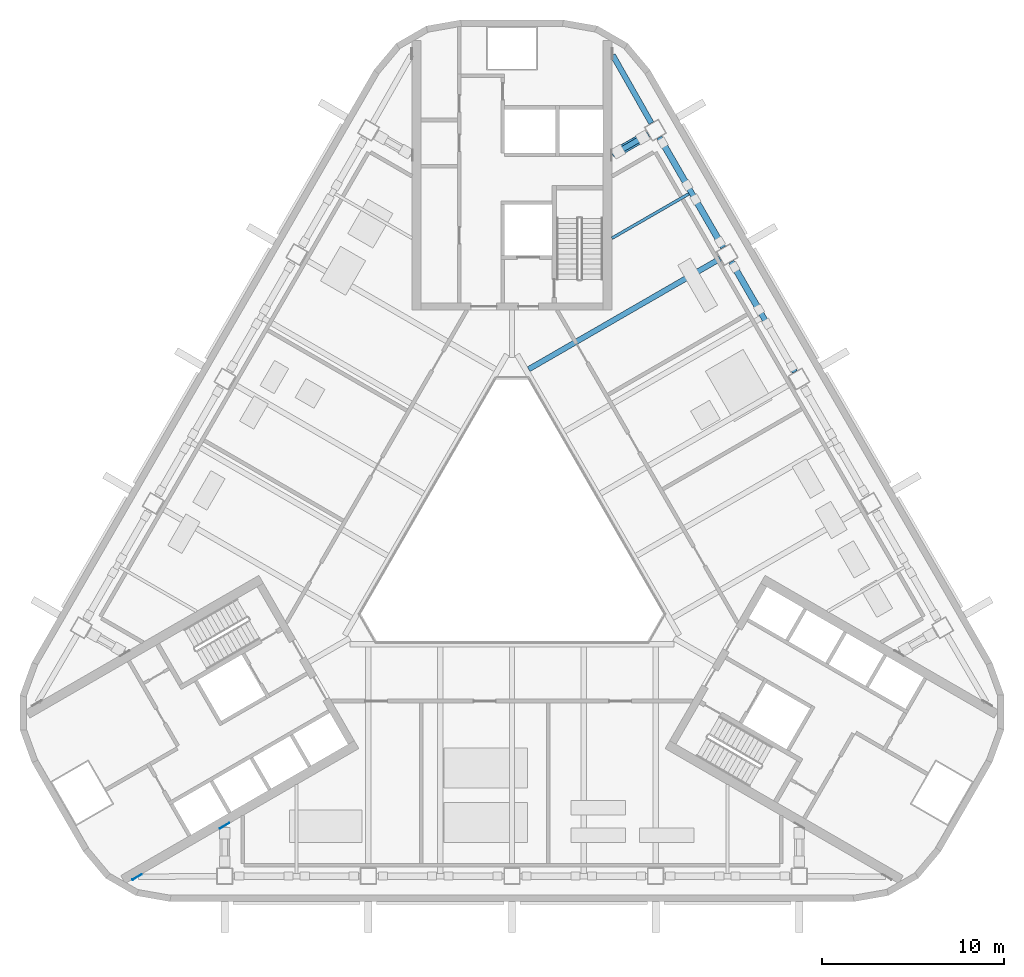
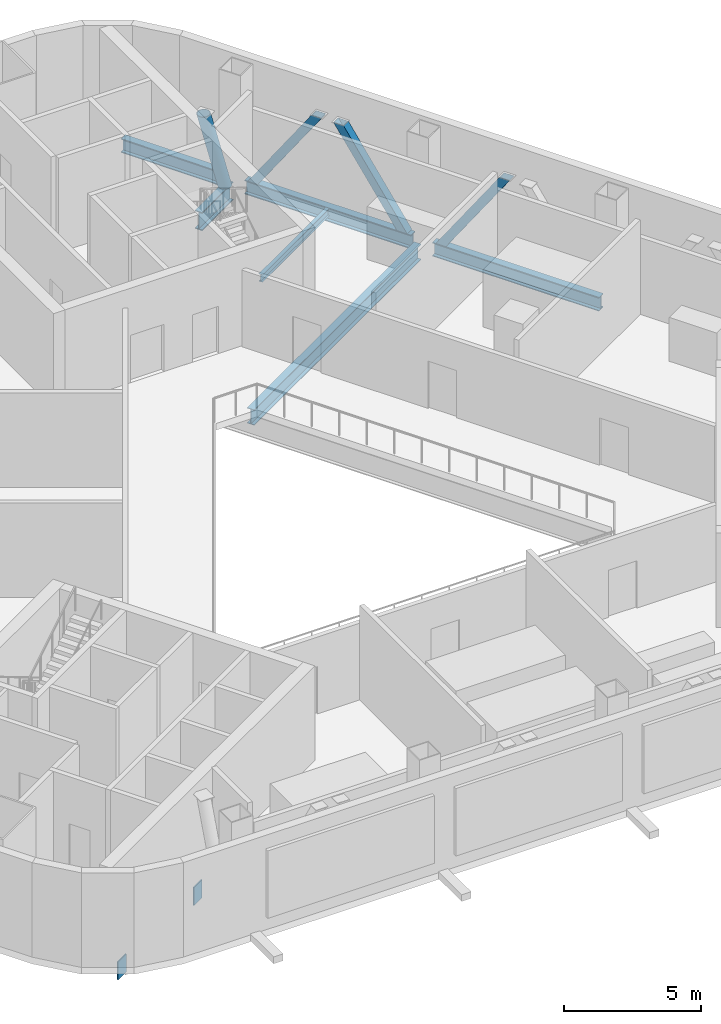
# One storey, part 3 of 15: 8 members, 2 beams, 2 plates.
"""IFC4 building model written with IfcOpenShell, lengths in metres."""

from ifc_helpers import new_model, si_unit, direction, frame, origin, origin_2d, place, context, subcontext, project, spatial, rectangle, hollow_rectangle, hollow_circle, i_section, extrude, boolean, halfspace, material, layer, layer_set, material_profile, profile_set, type_object, element, save


model = new_model("IFC4")

# Units and contexts
model_context = context("Model", 3, precision=1e-05, world=origin(), true_north=direction((0.0, 1.0)))
body_context = subcontext(model_context, "Body", "Model", "MODEL_VIEW")
ifc_project = project(units=[si_unit("LENGTHUNIT", "METRE"), si_unit("AREAUNIT", "SQUARE_METRE"), si_unit("VOLUMEUNIT", "CUBIC_METRE"), si_unit("PLANEANGLEUNIT", "RADIAN"), si_unit("MASSUNIT", "GRAM", prefix="KILO")], contexts=[model_context])

# Site, building, storey
site_placement = place(None, origin())
site = spatial("IfcSite", under=ifc_project, at=site_placement, CompositionType="ELEMENT")
building_placement = place(site_placement, origin())
building = spatial("IfcBuilding", under=site, at=building_placement, Name="Apuvela Tower Hotel", CompositionType="ELEMENT")
storey_placement = place(building_placement, frame((0.0, 0.0, 137.60009765625)))
storey = spatial("IfcBuildingStorey", under=building, at=storey_placement, Name="L32 Plant", CompositionType="ELEMENT", Elevation=137.60009765625)

# Beams
ifc_material = material(Name="Steel S355", Category="steel")
ifc_material_profile_1 = material_profile(ifc_material, i_section(OverallWidth=0.300048828125, OverallDepth=0.68994140625, WebThickness=0.014404296875, FlangeThickness=0.027099609375, at=origin_2d()), Name="HE 700 A")
ifc_profile_set_1 = profile_set([ifc_material_profile_1], Name="Steel S355")
beam_type_1 = type_object("IfcBeamType", Name="STR-B floor beam HE 700 A", PredefinedType="BEAM", material=ifc_profile_set_1)
beam_1_placement = place(storey_placement, frame((11.447998046875, 15.731689453125, -0.64501953125), z_axis=(-0.866025076934, -0.500000566121, 0.0), x_axis=(0.500000566121, -0.866025076934, 0.0)))
element("IfcBeam", 1, at=beam_1_placement, inside=storey, type_object=beam_type_1, Name="Floor beam B6 NE7", PredefinedType="BEAM", context=body_context, shape_type="SweptSolid", body=[
    extrude(i_section(OverallWidth=0.300048828125, OverallDepth=0.68994140625, WebThickness=0.014404296875, FlangeThickness=0.027099609375, at=origin_2d()), origin(), (0.0, 0.0, 1.0), 12.158203125),
])
ifc_material_profile_2 = material_profile(ifc_material, i_section(OverallWidth=0.159912109375, OverallDepth=0.330078125, WebThickness=0.007568359375, FlangeThickness=0.011474609375, at=origin_2d()), Name="IPE 330")
ifc_profile_set_2 = profile_set([ifc_material_profile_2], Name="Steel S355")
beam_type_2 = type_object("IfcBeamType", Name="STR-B floor beam IPE 330", PredefinedType="BEAM", material=ifc_profile_set_2)
beam_2_placement = place(storey_placement, frame((9.730712890625, 19.30126953125, -0.465087890625), z_axis=(-0.866023300691, -0.500003642646, 0.0), x_axis=(0.500003642646, -0.866023300691, 0.0)))
element("IfcBeam", 2, at=beam_2_placement, inside=storey, type_object=beam_type_2, Name="Floor beam B1 NE8", PredefinedType="BEAM", context=body_context, shape_type="SweptSolid", body=[
    extrude(i_section(OverallWidth=0.159912109375, OverallDepth=0.330078125, WebThickness=0.007568359375, FlangeThickness=0.011474609375, at=origin_2d()), origin(), (0.0, 0.0, 1.0), 4.88525390625),
])

# Members
ifc_material_profile_3 = material_profile(ifc_material, i_section(OverallWidth=0.304931640625, OverallDepth=0.6201171875, WebThickness=0.02099609375, FlangeThickness=0.0400390625, at=origin_2d()), Name="HE 600 M")
ifc_profile_set_3 = profile_set([ifc_material_profile_3], Name="Steel S355")
member_type_1 = type_object("IfcMemberType", Name="STR-T1 belt truss chord HE 600 M", PredefinedType="CHORD", material=ifc_profile_set_3)
for number, where, z_axis, x_axis, name in (
    (3, (15.5625, 9.504638671875, -0.610107421875), (-0.499995173006, 0.866028190633, 0.0), (-0.866028190633, -0.499995173006, 0.0), "Belt chord BT2 NE3"),
    (4, (11.612548828125, 16.34619140625, -0.610107421875), (-0.499995173006, 0.866028190633, 0.0), (-0.866028190633, -0.499995173006, 0.0), "Belt chord BT2 NE4"),
):
    element("IfcMember", number, at=place(storey_placement, frame(where, z_axis=z_axis, x_axis=x_axis)), inside=storey, type_object=member_type_1, Name=name, PredefinedType="CHORD", context=body_context, shape_type="SweptSolid", body=[
        extrude(i_section(OverallWidth=0.304931640625, OverallDepth=0.6201171875, WebThickness=0.02099609375, FlangeThickness=0.0400390625, at=origin_2d()), origin(), (0.0, 0.0, 1.0), 7.0),
    ])
member_1_placement = place(storey_placement, frame((7.665283203125, 23.189453125, -0.610107421875), z_axis=(-0.494028908476, 0.869445477066, 0.0), x_axis=(-0.869445477066, -0.494028908476, 0.0)))
element("IfcMember", 5, at=member_1_placement, inside=storey, type_object=member_type_1, Name="Belt chord BT2 NE5-N", PredefinedType="CHORD", context=body_context, shape_type="SweptSolid", body=[
    extrude(i_section(OverallWidth=0.304931640625, OverallDepth=0.6201171875, WebThickness=0.02099609375, FlangeThickness=0.0400390625, at=origin_2d()), origin(), (0.0, 0.0, 1.0), 4.3017578125),
])
ifc_material_profile_4 = material_profile(ifc_material, hollow_rectangle(XDim=0.35009765625, YDim=0.35009765625, WallThickness=0.01611328125, at=origin_2d()), Name="SHS 350x350x16")
ifc_profile_set_4 = profile_set([ifc_material_profile_4], Name="Steel S355")
member_type_2 = type_object("IfcMemberType", Name="STR-T1 belt truss diagonal SHS 350x350x16", PredefinedType="BRACE", material=ifc_profile_set_4)
member_2_placement = place(storey_placement, frame((12.237548828125, 15.263916015625, -0.300048828125), z_axis=(0.284132295223, -0.492119190533, 0.822853292586), x_axis=(-0.411434409305, 0.712607372934, 0.568253868337)))
solid_1 = boolean("DIFFERENCE", boolean("DIFFERENCE", extrude(hollow_rectangle(XDim=0.35009765625, YDim=0.35009765625, WallThickness=0.01611328125, at=origin_2d()), frame((0.0, 0.0, -0.24072265625)), (0.0, 0.0, 1.0), 5.233154296875), halfspace(frame((0.0, 0.0, 0.024169921875), z_axis=(0.568253868337, 0.0, 0.822853292586), x_axis=(0.822853292586, 0.0, -0.568253868337)), True)), halfspace(frame((0.0, 0.0, 4.727294921875), z_axis=(0.568253868337, 0.0, 0.822853292586), x_axis=(0.822853292586, 0.0, -0.568253868337)), False))
element("IfcMember", 6, at=member_2_placement, inside=storey, type_object=member_type_2, Name="Belt truss diagonal BR2 NE3", PredefinedType="BRACE", context=body_context, shape_type="SweptSolid", body=[
    boolean("UNION", boolean("DIFFERENCE", boolean("DIFFERENCE", extrude(hollow_rectangle(XDim=0.35009765625, YDim=0.35009765625, WallThickness=0.01611328125, at=origin_2d()), origin(), (0.0, 0.0, 1.0), 4.751708984375), halfspace(frame((0.0, 0.0, 0.024169921875), z_axis=(0.568253868337, 0.0, 0.822853292586), x_axis=(0.822853292586, 0.0, -0.568253868337)), True)), halfspace(frame((0.0, 0.0, 4.727294921875), z_axis=(0.568253868337, 0.0, 0.822853292586), x_axis=(0.822853292586, 0.0, -0.568253868337)), False)), solid_1),
])
member_3_placement = place(storey_placement, frame((11.4375, 16.6494140625, -0.300048828125), z_axis=(-0.284085062007, 0.492126374373, 0.822865304404), x_axis=(0.411384611104, -0.712649991888, 0.568236474374)))
solid_2 = boolean("DIFFERENCE", boolean("DIFFERENCE", extrude(hollow_rectangle(XDim=0.35009765625, YDim=0.35009765625, WallThickness=0.01611328125, at=origin_2d()), frame((0.0, 0.0, -0.24072265625)), (0.0, 0.0, 1.0), 5.233154296875), halfspace(frame((0.0, 0.0, 0.024169921875), z_axis=(0.568236474374, 0.0, 0.822865304404), x_axis=(0.822865304404, 0.0, -0.568236474374)), True)), halfspace(frame((0.0, 0.0, 4.727294921875), z_axis=(0.568236474374, 0.0, 0.822865304404), x_axis=(0.822865304404, 0.0, -0.568236474374)), False))
element("IfcMember", 7, at=member_3_placement, inside=storey, type_object=member_type_2, Name="Belt truss diagonal BR2 NE4", PredefinedType="BRACE", context=body_context, shape_type="SweptSolid", body=[
    boolean("UNION", boolean("DIFFERENCE", boolean("DIFFERENCE", extrude(hollow_rectangle(XDim=0.35009765625, YDim=0.35009765625, WallThickness=0.01611328125, at=origin_2d()), origin(), (0.0, 0.0, 1.0), 4.75146484375), halfspace(frame((0.0, 0.0, 0.024169921875), z_axis=(0.568236474374, 0.0, 0.822865304404), x_axis=(0.822865304404, 0.0, -0.568236474374)), True)), halfspace(frame((0.0, 0.0, 4.727294921875), z_axis=(0.568236474374, 0.0, 0.822865304404), x_axis=(0.822865304404, 0.0, -0.568236474374)), False)), solid_2),
])
member_4_placement = place(storey_placement, frame((8.28759765625, 22.10546875, -0.300048828125), z_axis=(0.284132295223, -0.492119190533, 0.822853292586), x_axis=(-0.411434409305, 0.712607372934, 0.568253868337)))
solid_3 = boolean("DIFFERENCE", boolean("DIFFERENCE", extrude(hollow_rectangle(XDim=0.35009765625, YDim=0.35009765625, WallThickness=0.01611328125, at=origin_2d()), frame((0.0, 0.0, -0.24072265625)), (0.0, 0.0, 1.0), 5.233154296875), halfspace(frame((0.0, 0.0, 0.024169921875), z_axis=(0.568253868337, 0.0, 0.822853292586), x_axis=(0.822853292586, 0.0, -0.568253868337)), True)), halfspace(frame((0.0, 0.0, 4.727294921875), z_axis=(0.568253868337, 0.0, 0.822853292586), x_axis=(0.822853292586, 0.0, -0.568253868337)), False))
element("IfcMember", 8, at=member_4_placement, inside=storey, type_object=member_type_2, Name="Belt truss diagonal BR2 NE4", PredefinedType="BRACE", context=body_context, shape_type="SweptSolid", body=[
    boolean("UNION", boolean("DIFFERENCE", boolean("DIFFERENCE", extrude(hollow_rectangle(XDim=0.35009765625, YDim=0.35009765625, WallThickness=0.01611328125, at=origin_2d()), origin(), (0.0, 0.0, 1.0), 4.751708984375), halfspace(frame((0.0, 0.0, 0.024169921875), z_axis=(0.568253868337, 0.0, 0.822853292586), x_axis=(0.822853292586, 0.0, -0.568253868337)), True)), halfspace(frame((0.0, 0.0, 4.727294921875), z_axis=(0.568253868337, 0.0, 0.822853292586), x_axis=(0.822853292586, 0.0, -0.568253868337)), False)), solid_3),
])
ifc_material_profile_5 = material_profile(ifc_material, i_section(OverallWidth=0.302978515625, OverallDepth=0.81396484375, WebThickness=0.02099609375, FlangeThickness=0.0400390625, at=origin_2d()), Name="HE 800 M")
ifc_profile_set_5 = profile_set([ifc_material_profile_5], Name="Steel S355")
member_type_3 = type_object("IfcMemberType", Name="STR-T1 outrigger truss chord HE 800 M", PredefinedType="CHORD", material=ifc_profile_set_5)
member_5_placement = place(storey_placement, frame((7.497802734375, 22.5732421875, -0.70703125), z_axis=(-0.866014732592, -0.500018482592, 0.0), x_axis=(0.500018482592, -0.866014732592, 0.0)))
element("IfcMember", 9, at=member_5_placement, inside=storey, type_object=member_type_3, Name="Outrigger chord OC2 NE5", PredefinedType="CHORD", context=body_context, shape_type="SweptSolid", body=[
    extrude(i_section(OverallWidth=0.302978515625, OverallDepth=0.81396484375, WebThickness=0.02099609375, FlangeThickness=0.0400390625, at=origin_2d()), origin(), (0.0, 0.0, 1.0), 2.2607421875),
])
ifc_material_profile_6 = material_profile(ifc_material, hollow_circle(Radius=0.25390625, WallThickness=0.02001953125, at=origin_2d()), Name="CHS 508x20")
ifc_profile_set_6 = profile_set([ifc_material_profile_6], Name="Steel S355")
member_type_4 = type_object("IfcMemberType", Name="STR-T1 outrigger truss diagonal CHS 508x20", PredefinedType="BRACE", material=ifc_profile_set_6)
member_6_placement = place(storey_placement, frame((7.19482421875, 22.398193359375, -0.300048828125), z_axis=(-0.303608504902, -0.175245219734, 0.936542037877), x_axis=(0.811119204521, 0.468184391846, 0.350555289917)))
solid_4 = boolean("DIFFERENCE", boolean("DIFFERENCE", extrude(hollow_circle(Radius=0.25390625, WallThickness=0.02001953125, at=origin_2d()), frame((0.0, 0.0, -0.215087890625)), (0.0, 0.0, 1.0), 4.882568359375), halfspace(frame((0.0, 0.0, 0.021240234375), z_axis=(0.350555289917, 0.0, 0.936542037877), x_axis=(0.936542037877, 0.0, -0.350555289917)), True)), halfspace(frame((0.0, 0.0, 4.43115234375), z_axis=(0.350555289917, 0.0, 0.936542037877), x_axis=(0.936542037877, 0.0, -0.350555289917)), False))
element("IfcMember", 10, at=member_6_placement, inside=storey, type_object=member_type_4, Name="Outrigger diagonal OD2 NE5", PredefinedType="BRACE", context=body_context, shape_type="SweptSolid", body=[
    boolean("UNION", boolean("DIFFERENCE", boolean("DIFFERENCE", extrude(hollow_circle(Radius=0.25390625, WallThickness=0.02001953125, at=origin_2d()), origin(), (0.0, 0.0, 1.0), 4.452392578125), halfspace(frame((0.0, 0.0, 0.021240234375), z_axis=(0.350555289917, 0.0, 0.936542037877), x_axis=(0.936542037877, 0.0, -0.350555289917)), True)), halfspace(frame((0.0, 0.0, 4.43115234375), z_axis=(0.350555289917, 0.0, 0.936542037877), x_axis=(0.936542037877, 0.0, -0.350555289917)), False)), solid_4),
])

# Plates
ifc_layer = layer(ifc_material, 0.0400390625)
ifc_layer_set = layer_set([ifc_layer], Name="STR-CP 40 Steel S355")
plate_type = type_object("IfcPlateType", Name="STR-CP 40 Steel S355", PredefinedType="SHEET", material=ifc_layer_set)
for number, where, z_axis, x_axis, name in (
    (11, (-20.622802734375, -18.280517578125, -1.01025390625), (0.0, 0.0, 1.0), (0.5, -0.866025403784, 0.0), "Cast-in plate CP-T1-25 40"),
    (12, (-15.81005859375, -15.455810546875, -1.10693359375), (0.0, 0.0, 1.0), (-0.5, 0.866025403784, 0.0), "Cast-in plate CP-T1-35 40"),
):
    element("IfcPlate", number, at=place(storey_placement, frame(where, z_axis=z_axis, x_axis=x_axis)), inside=storey, type_object=plate_type, Name=name, PredefinedType="SHEET", context=body_context, shape_type="SweptSolid", body=[
        extrude(rectangle(XDim=0.0400390625, YDim=0.60009765625, at=origin_2d()), origin(), (0.0, 0.0, 1.0), 0.800048828125),
    ])

save(model, "model.ifc")
